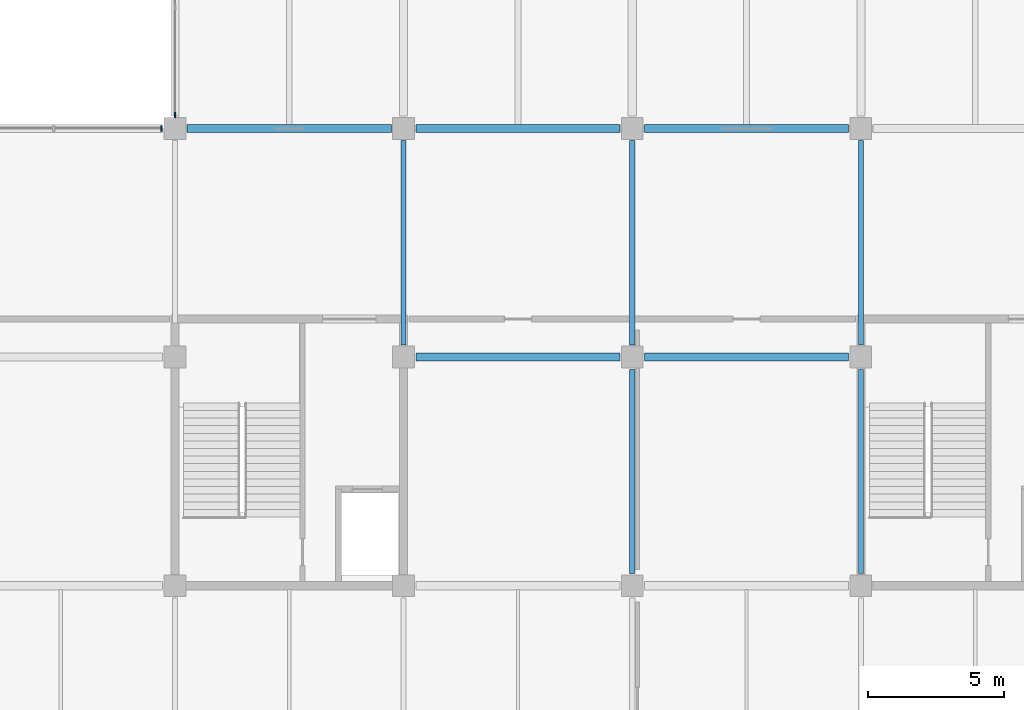
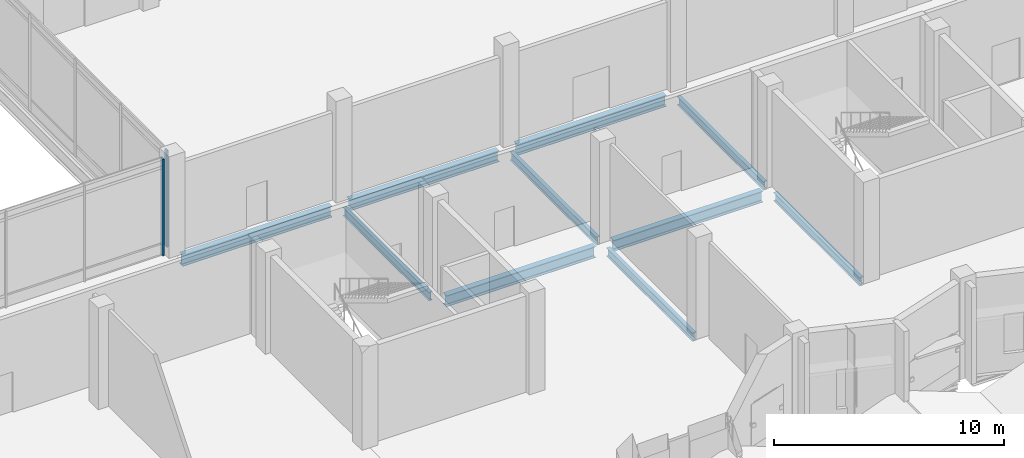
# One storey, part 7 of 72: 10 beams, 2 members, 2 elements without a shape of their own.
"""IFC4 building model written with IfcOpenShell, lengths in metres."""

import ifcopenshell
import ifcopenshell.guid

model = None  # the IFC model being written
_history = None  # IfcOwnerHistory: only IFC2X3 demands one
_inside = {}  # id of a spatial element -> (the spatial element, [elements in it])
_under = {}  # id of a project, library or spatial element -> (it, [spatial elements below it])
_declared = {}  # id of a project -> (the project, [libraries it declares])
_typed = {}  # id of a type object -> (the type object, [elements of that type])
_made_of = {}  # id of a material, layer set ... -> (it, [elements and type objects made of it])


def new_model(schema):
    """Start an empty IFC model of exactly this schema.

    Asked for "IFC4X3", IfcOpenShell would pick the latest addendum, in which some entities
    have other attributes; the version numbers below select the first issue.
    IFC2X3 requires an IfcOwnerHistory on every rooted entity: one is made here for all.
    """
    global model, _history
    if schema == "IFC4X3":
        model = ifcopenshell.file(schema_version=(4, 3, 0, 0))
    else:
        model = ifcopenshell.file(schema=schema)
    _inside.clear()
    _under.clear()
    _declared.clear()
    _typed.clear()
    _made_of.clear()
    _history = None
    if model.schema == "IFC2X3":
        org = make("IfcOrganization", Name="unknown")
        user = make(
            "IfcPersonAndOrganization",
            ThePerson=make("IfcPerson", FamilyName="unknown"),
            TheOrganization=org,
        )
        app = make(
            "IfcApplication",
            ApplicationDeveloper=org,
            Version="unknown",
            ApplicationFullName="unknown",
            ApplicationIdentifier="unknown",
        )
        _history = make(
            "IfcOwnerHistory",
            OwningUser=user,
            OwningApplication=app,
            ChangeAction="ADDED",
            CreationDate=0,
        )
    return model


def make(cls, **values):
    """One entity of the class cls with the attributes given. An attribute that is None is left unset."""
    return model.create_entity(
        cls, **{name: value for name, value in values.items() if value is not None}
    )


def rooted(cls, **values):
    """An entity with a GlobalId (a new one), such as an element, a storey or a relation."""
    return make(cls, GlobalId=ifcopenshell.guid.new(), OwnerHistory=_history, **values)


def si_unit(unit_type, name, prefix=None):
    """IfcSIUnit, for example si_unit("LENGTHUNIT", "METRE", prefix="MILLI")."""
    return make("IfcSIUnit", UnitType=unit_type, Prefix=prefix, Name=name)


def assignment(units):
    """IfcUnitAssignment: the units of a project."""
    return None if units is None else make("IfcUnitAssignment", Units=units)


def point(xyz):
    """IfcCartesianPoint."""
    return None if xyz is None else make("IfcCartesianPoint", Coordinates=xyz)


def direction(xyz):
    """IfcDirection."""
    return None if xyz is None else make("IfcDirection", DirectionRatios=xyz)


def frame(location, z_axis=None, x_axis=None):
    """IfcAxis2Placement3D, a coordinate frame: its origin and axes. An axis left out is left unset."""
    return make(
        "IfcAxis2Placement3D",
        Location=point(location),
        Axis=direction(z_axis),
        RefDirection=direction(x_axis),
    )


def frame_2d(location, x_axis=None):
    """IfcAxis2Placement2D, a coordinate frame in the plane: its origin and x axis."""
    return make(
        "IfcAxis2Placement2D", Location=point(location), RefDirection=direction(x_axis)
    )


def origin():
    """The frame at (0, 0, 0) with its axes left unset."""
    return frame((0.0, 0.0, 0.0))


def origin_2d():
    """The frame at (0, 0) in the plane with its x axis left unset."""
    return frame_2d((0.0, 0.0))


def place(relative_to, where):
    """IfcLocalPlacement: puts the frame where relative to a parent placement (None: the world)."""
    return make(
        "IfcLocalPlacement", PlacementRelTo=relative_to, RelativePlacement=where
    )


def context(
    kind, dimensions, precision=None, world=None, true_north=None, identifier=None
):
    """IfcGeometricRepresentationContext, for example the 3D "Model" context."""
    return make(
        "IfcGeometricRepresentationContext",
        ContextIdentifier=identifier,
        ContextType=kind,
        CoordinateSpaceDimension=dimensions,
        Precision=precision,
        WorldCoordinateSystem=world,
        TrueNorth=true_north,
    )


def subcontext(parent, identifier, kind, view, scale=None):
    """IfcGeometricRepresentationSubContext, for example "Body" below "Model"."""
    return make(
        "IfcGeometricRepresentationSubContext",
        ContextIdentifier=identifier,
        ContextType=kind,
        ParentContext=parent,
        TargetScale=scale,
        TargetView=view,
    )


def project(units=None, contexts=None):
    """IfcProject with its units and contexts."""
    return rooted(
        "IfcProject",
        Name="project",
        RepresentationContexts=contexts,
        UnitsInContext=assignment(units),
    )


def spatial(cls, under=None, at=None, **own):
    """A site, building, storey or space (cls), placed at a placement, below another one or the project."""
    s = rooted(cls, ObjectPlacement=at, **own)
    if under is not None:
        _under.setdefault(under.id(), (under, []))[1].append(s)
    return s


def profile(cls, at=None, kind="AREA", **sizes):
    """A parametric profile (cls). Its sizes go by their IFC names, for example OverallWidth=200.0."""
    return make(cls, ProfileType=kind, Position=at, **sizes)


def rectangle(**sizes):
    """IfcRectangleProfileDef."""
    return profile("IfcRectangleProfileDef", **sizes)


def i_section(**sizes):
    """IfcIShapeProfileDef."""
    return profile("IfcIShapeProfileDef", **sizes)


def extrude(swept, where, along, depth):
    """IfcExtrudedAreaSolid: the profile swept, set in the frame where, extruded along a direction by depth."""
    return make(
        "IfcExtrudedAreaSolid",
        SweptArea=swept,
        Position=where,
        ExtrudedDirection=direction(along),
        Depth=depth,
    )


def shape(context_of_items, identifier, shape_type, items):
    """IfcShapeRepresentation: the items that make up one representation, for example the "Body"."""
    return make(
        "IfcShapeRepresentation",
        ContextOfItems=context_of_items,
        RepresentationIdentifier=identifier,
        RepresentationType=shape_type,
        Items=items,
    )


def material(Name=None, Category=None):
    """IfcMaterial."""
    return make("IfcMaterial", Name=Name, Category=Category)


def layer(
    of_material, thickness, ventilated=None, Name=None, Category=None, Priority=None
):
    """IfcMaterialLayer: one layer of a wall or slab, of a material (None: an air gap)."""
    return make(
        "IfcMaterialLayer",
        Material=of_material,
        LayerThickness=thickness,
        IsVentilated=ventilated,
        Name=Name,
        Category=Category,
        Priority=Priority,
    )


def layer_set(layers, Name=None):
    """IfcMaterialLayerSet."""
    return make("IfcMaterialLayerSet", MaterialLayers=layers, LayerSetName=Name)


def material_profile(
    of_material, cross_section, Name=None, Category=None, Priority=None
):
    """IfcMaterialProfile: a cross section and its material."""
    return make(
        "IfcMaterialProfile",
        Name=Name,
        Material=of_material,
        Profile=cross_section,
        Priority=Priority,
        Category=Category,
    )


def profile_set(profiles, Name=None, composite=None):
    """IfcMaterialProfileSet."""
    return make(
        "IfcMaterialProfileSet",
        Name=Name,
        MaterialProfiles=profiles,
        CompositeProfile=composite,
    )


def made_of(thing, what):
    """Note that an element or type object is made of a material, layer set ...; save() writes the relation."""
    if what is not None:
        _made_of.setdefault(what.id(), (what, []))[1].append(thing)
    return thing


def type_object(cls, material=None, **own):
    """A type object (cls), such as IfcWallType, which elements share."""
    return made_of(rooted(cls, **own), material)


def element(
    cls,
    number,
    at=None,
    inside=None,
    cuts=None,
    type_object=None,
    material=None,
    context=None,
    identifier="Body",
    shape_type=None,
    held_by="IfcProductDefinitionShape",
    body=None,
    shapes=None,
    **own,
):
    """One element of the class cls, such as IfcWall. Its Tag is "e" and its number.

    at: its placement. inside: the storey or other place that contains it. cuts: it is an
    opening in that element (IfcRelVoidsElement). A single representation is given by context,
    identifier, shape_type and body (its items); several are given by shapes. held_by: the class
    of the entity that holds the representations. save() writes the other relations.
    """
    e = rooted(cls, Tag="e%d" % number, ObjectPlacement=at, **own)
    if body is not None:
        shapes = [shape(context, identifier, shape_type, body)]
    if shapes is not None:
        e.Representation = make(held_by, Representations=shapes)
    if inside is not None:
        _inside.setdefault(inside.id(), (inside, []))[1].append(e)
    if cuts is not None:
        rooted(
            "IfcRelVoidsElement", RelatingBuildingElement=cuts, RelatedOpeningElement=e
        )
    if type_object is not None:
        _typed.setdefault(type_object.id(), (type_object, []))[1].append(e)
    return made_of(e, material)


def aggregate(whole, parts):
    """IfcRelAggregates: a whole, such as a stair, and the parts it consists of."""
    return rooted("IfcRelAggregates", RelatingObject=whole, RelatedObjects=parts)


def save(model, path):
    """Write the relations noted so far, then the file.

    IfcRelAggregates (storeys below a building ...), IfcRelContainedInSpatialStructure (elements
    in a storey), IfcRelDefinesByType, IfcRelAssociatesMaterial and IfcRelDeclares: one each for
    every whole, place, type object, material and project.
    """
    for whole, parts in _under.values():
        aggregate(whole, parts)
    for where, things in _inside.values():
        rooted(
            "IfcRelContainedInSpatialStructure",
            RelatedElements=things,
            RelatingStructure=where,
        )
    for kind, things in _typed.values():
        rooted("IfcRelDefinesByType", RelatedObjects=things, RelatingType=kind)
    for what, things in _made_of.values():
        rooted("IfcRelAssociatesMaterial", RelatedObjects=things, RelatingMaterial=what)
    for by, libraries in _declared.values():
        rooted("IfcRelDeclares", RelatingContext=by, RelatedDefinitions=libraries)
    model.write(path)


model = new_model("IFC4")

# Units and contexts
model_context = context("Model", 3, precision=1e-05, world=origin(), true_north=direction((0.0, 1.0)))
body_context = subcontext(model_context, "Body", "Model", "MODEL_VIEW")
ifc_project = project(units=[si_unit("LENGTHUNIT", "METRE"), si_unit("AREAUNIT", "SQUARE_METRE"), si_unit("VOLUMEUNIT", "CUBIC_METRE"), si_unit("PLANEANGLEUNIT", "RADIAN"), si_unit("MASSUNIT", "GRAM", prefix="KILO")], contexts=[model_context])

# Site, building, storey
site_placement = place(None, origin())
site = spatial("IfcSite", under=ifc_project, at=site_placement, CompositionType="ELEMENT")
building_placement = place(site_placement, origin())
building = spatial("IfcBuilding", under=site, at=building_placement, Name="Qawsi Khor Wholesale Market", CompositionType="ELEMENT")
storey_placement = place(building_placement, frame((0.0, 0.0, 6.0)))
storey = spatial("IfcBuildingStorey", under=building, at=storey_placement, Name="L01", CompositionType="ELEMENT", Elevation=6.0)

# Curtain wall, member
ifc_material_1 = material(Name="Aluminium Anodised Bronze", Category="aluminium")
ifc_layer = layer(ifc_material_1, 0.179931640625, Name="Aluminium Anodised Bronze")
ifc_layer_set = layer_set([ifc_layer], Name="Aluminium Anodised Bronze")
curtain_wall_type = type_object("IfcCurtainWallType", Name="Atrium Full-Height Curtain Wall CW-02", PredefinedType="NOTDEFINED", material=ifc_layer_set)
curtain_wall_1_placement = place(storey_placement, origin())
curtain_wall_1 = element("IfcCurtainWall", 1, at=curtain_wall_1_placement, inside=storey, type_object=curtain_wall_type, Name="Curtain wall CW-CW-02-L01-016", PredefinedType="NOTDEFINED")
ifc_material_profile_1 = material_profile(ifc_material_1, rectangle(XDim=0.070068359375, YDim=0.199951171875, at=origin_2d()), Name="ALU MULLION 70x200")
ifc_profile_set_1 = profile_set([ifc_material_profile_1], Name="Aluminium Anodised Bronze")
member_type = type_object("IfcMemberType", Name="Curtain Wall Mullion CW-02 ALU MULLION 70x200", PredefinedType="MULLION", material=ifc_profile_set_1)
member_1_placement = place(storey_placement, frame((66.705078125, 25.199951171875, -0.02001953125), z_axis=(0.0, 0.0, 1.0), x_axis=(1.0, 0.0, 0.0)))
member_1 = element("IfcMember", 2, at=member_1_placement, type_object=member_type, Name="Mullion CW-CW-02-L01-016-M04", PredefinedType="MULLION", context=body_context, shape_type="SweptSolid", body=[
    extrude(rectangle(XDim=0.070068359375, YDim=0.199951171875, at=origin_2d()), origin(), (0.0, 0.0, 1.0), 5.14013671875),
])
aggregate(curtain_wall_1, [member_1])

curtain_wall_2_placement = place(storey_placement, origin())
curtain_wall_2 = element("IfcCurtainWall", 3, at=curtain_wall_2_placement, inside=storey, type_object=curtain_wall_type, Name="Curtain wall CW-CW-02-L01-020", PredefinedType="NOTDEFINED")
member_2_placement = place(storey_placement, frame((67.199951171875, 25.695068359375, -0.02001953125), z_axis=(0.0, 0.0, 1.0), x_axis=(1.0, 0.0, 0.0)))
member_2 = element("IfcMember", 4, at=member_2_placement, type_object=member_type, Name="Mullion CW-CW-02-L01-020-M00", PredefinedType="MULLION", context=body_context, shape_type="SweptSolid", body=[
    extrude(rectangle(XDim=0.070068359375, YDim=0.199951171875, at=origin_2d()), origin(), (0.0, 0.0, 1.0), 5.14013671875),
])
aggregate(curtain_wall_2, [member_2])

# Beams
ifc_material_2 = material(Name="Steel S355", Category="steel")
ifc_material_profile_2 = material_profile(ifc_material_2, i_section(OverallWidth=0.300048828125, OverallDepth=0.590087890625, WebThickness=0.012939453125, FlangeThickness=0.02490234375, FilletRadius=0.027099609375, at=origin_2d()), Name="HEA 600")
ifc_profile_set_2 = profile_set([ifc_material_profile_2], Name="Steel S355")
beam_type_1 = type_object("IfcBeamType", Name="Primary Girder HEA 600", PredefinedType="BEAM", material=ifc_profile_set_2)
for number, where, z_axis, x_axis, name in (
    (5, (67.64990234375, 25.199951171875, -0.574951171875), (1.0, 0.0, 0.0), (0.0, 1.0, 0.0), "BM-X-L01-08_+03"),
    (6, (76.050048828125, 16.800048828125, -0.574951171875), (1.0, 0.0, 0.0), (0.0, 1.0, 0.0), "BM-X-L01-09_+02"),
    (7, (76.050048828125, 25.199951171875, -0.574951171875), (1.0, 0.0, 0.0), (0.0, 1.0, 0.0), "BM-X-L01-09_+03"),
    (8, (84.449951171875, 16.800048828125, -0.574951171875), (1.0, 0.0, 0.0), (0.0, 1.0, 0.0), "BM-X-L01-10_+02"),
    (9, (84.449951171875, 25.199951171875, -0.574951171875), (1.0, 0.0, 0.0), (0.0, 1.0, 0.0), "BM-X-L01-10_+03"),
):
    element("IfcBeam", number, at=place(storey_placement, frame(where, z_axis=z_axis, x_axis=x_axis)), inside=storey, type_object=beam_type_1, Name=name, PredefinedType="BEAM", context=body_context, shape_type="SweptSolid", body=[
        extrude(i_section(OverallWidth=0.300048828125, OverallDepth=0.590087890625, WebThickness=0.012939453125, FlangeThickness=0.02490234375, FilletRadius=0.027099609375, at=origin_2d()), origin(), (0.0, 0.0, 1.0), 7.5),
    ])
ifc_material_profile_3 = material_profile(ifc_material_2, i_section(OverallWidth=0.18994140625, OverallDepth=0.449951171875, WebThickness=0.009521484375, FlangeThickness=0.0146484375, FilletRadius=0.02099609375, at=origin_2d()), Name="IPE 450")
ifc_profile_set_3 = profile_set([ifc_material_profile_3], Name="Steel S355")
beam_type_2 = type_object("IfcBeamType", Name="Secondary Beam IPE 450", PredefinedType="BEAM", material=ifc_profile_set_3)
for number, where, z_axis, x_axis, name in (
    (10, (75.60009765625, 17.25, -0.5048828125), (0.0, 1.0, 0.0), (-1.0, 0.0, 0.0), "BM-Y-L01-09_+02"),
    (11, (84.0, 8.85009765625, -0.5048828125), (0.0, 1.0, 0.0), (-1.0, 0.0, 0.0), "BM-Y-L01-10_+01"),
    (12, (84.0, 17.25, -0.5048828125), (0.0, 1.0, 0.0), (-1.0, 0.0, 0.0), "BM-Y-L01-10_+02"),
    (13, (92.39990234375, 8.85009765625, -0.5048828125), (0.0, 1.0, 0.0), (-1.0, 0.0, 0.0), "BM-Y-L01-11_+01"),
    (14, (92.39990234375, 17.25, -0.5048828125), (0.0, 1.0, 0.0), (-1.0, 0.0, 0.0), "BM-Y-L01-11_+02"),
):
    element("IfcBeam", number, at=place(storey_placement, frame(where, z_axis=z_axis, x_axis=x_axis)), inside=storey, type_object=beam_type_2, Name=name, PredefinedType="BEAM", context=body_context, shape_type="SweptSolid", body=[
        extrude(i_section(OverallWidth=0.18994140625, OverallDepth=0.449951171875, WebThickness=0.009521484375, FlangeThickness=0.0146484375, FilletRadius=0.02099609375, at=origin_2d()), origin(), (0.0, 0.0, 1.0), 7.5),
    ])

save(model, "model.ifc")
